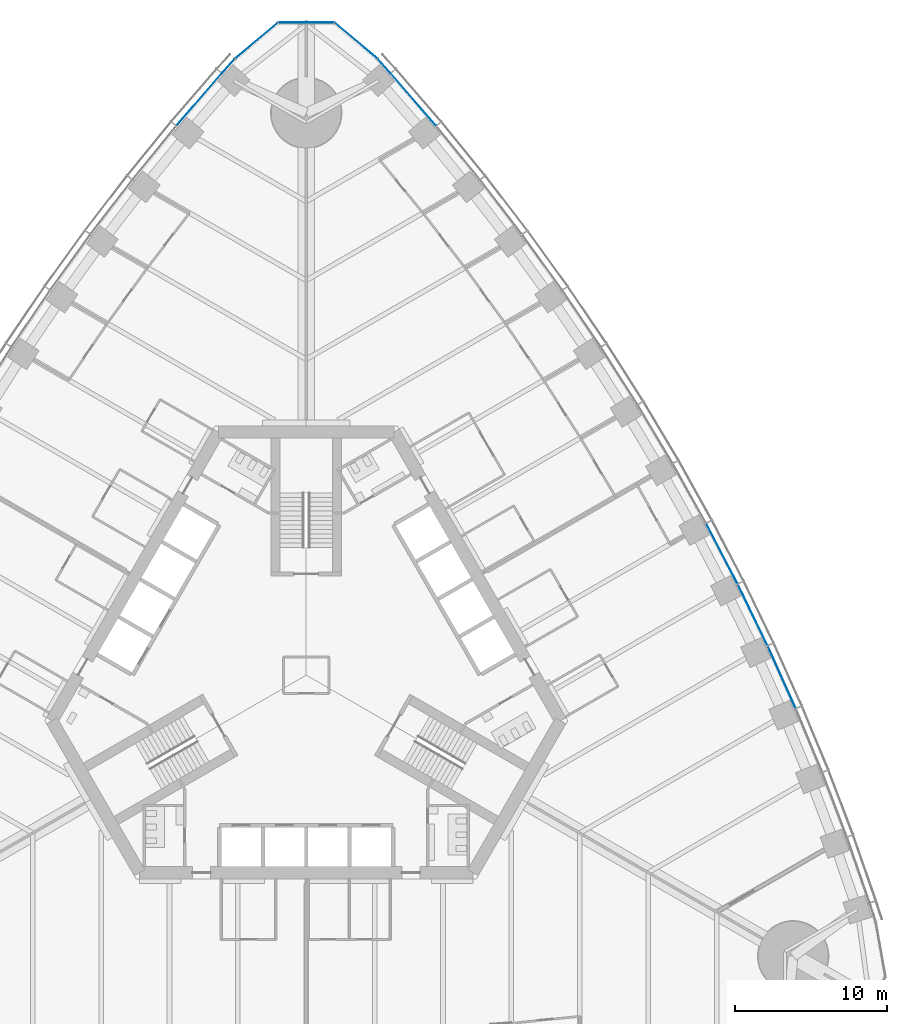
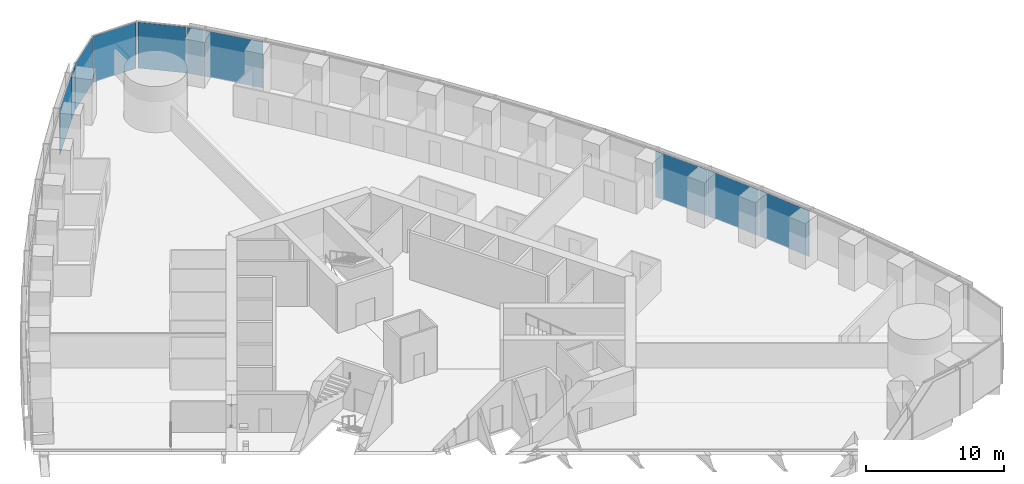
# One storey, part 9 of 18: 10 plates, 3 elements without a shape of their own.
"""IFC4 building model written with IfcOpenShell, lengths in metres."""

import ifcopenshell
import ifcopenshell.guid

model = None  # the IFC model being written
_history = None  # IfcOwnerHistory: only IFC2X3 demands one
_inside = {}  # id of a spatial element -> (the spatial element, [elements in it])
_under = {}  # id of a project, library or spatial element -> (it, [spatial elements below it])
_declared = {}  # id of a project -> (the project, [libraries it declares])
_typed = {}  # id of a type object -> (the type object, [elements of that type])
_made_of = {}  # id of a material, layer set ... -> (it, [elements and type objects made of it])


def new_model(schema):
    """Start an empty IFC model of exactly this schema.

    Asked for "IFC4X3", IfcOpenShell would pick the latest addendum, in which some entities
    have other attributes; the version numbers below select the first issue.
    IFC2X3 requires an IfcOwnerHistory on every rooted entity: one is made here for all.
    """
    global model, _history
    if schema == "IFC4X3":
        model = ifcopenshell.file(schema_version=(4, 3, 0, 0))
    else:
        model = ifcopenshell.file(schema=schema)
    _inside.clear()
    _under.clear()
    _declared.clear()
    _typed.clear()
    _made_of.clear()
    _history = None
    if model.schema == "IFC2X3":
        org = make("IfcOrganization", Name="unknown")
        user = make(
            "IfcPersonAndOrganization",
            ThePerson=make("IfcPerson", FamilyName="unknown"),
            TheOrganization=org,
        )
        app = make(
            "IfcApplication",
            ApplicationDeveloper=org,
            Version="unknown",
            ApplicationFullName="unknown",
            ApplicationIdentifier="unknown",
        )
        _history = make(
            "IfcOwnerHistory",
            OwningUser=user,
            OwningApplication=app,
            ChangeAction="ADDED",
            CreationDate=0,
        )
    return model


def make(cls, **values):
    """One entity of the class cls with the attributes given. An attribute that is None is left unset."""
    return model.create_entity(
        cls, **{name: value for name, value in values.items() if value is not None}
    )


def rooted(cls, **values):
    """An entity with a GlobalId (a new one), such as an element, a storey or a relation."""
    return make(cls, GlobalId=ifcopenshell.guid.new(), OwnerHistory=_history, **values)


def si_unit(unit_type, name, prefix=None):
    """IfcSIUnit, for example si_unit("LENGTHUNIT", "METRE", prefix="MILLI")."""
    return make("IfcSIUnit", UnitType=unit_type, Prefix=prefix, Name=name)


def assignment(units):
    """IfcUnitAssignment: the units of a project."""
    return None if units is None else make("IfcUnitAssignment", Units=units)


def point(xyz):
    """IfcCartesianPoint."""
    return None if xyz is None else make("IfcCartesianPoint", Coordinates=xyz)


def direction(xyz):
    """IfcDirection."""
    return None if xyz is None else make("IfcDirection", DirectionRatios=xyz)


def frame(location, z_axis=None, x_axis=None):
    """IfcAxis2Placement3D, a coordinate frame: its origin and axes. An axis left out is left unset."""
    return make(
        "IfcAxis2Placement3D",
        Location=point(location),
        Axis=direction(z_axis),
        RefDirection=direction(x_axis),
    )


def frame_2d(location, x_axis=None):
    """IfcAxis2Placement2D, a coordinate frame in the plane: its origin and x axis."""
    return make(
        "IfcAxis2Placement2D", Location=point(location), RefDirection=direction(x_axis)
    )


def origin():
    """The frame at (0, 0, 0) with its axes left unset."""
    return frame((0.0, 0.0, 0.0))


def origin_2d():
    """The frame at (0, 0) in the plane with its x axis left unset."""
    return frame_2d((0.0, 0.0))


def place(relative_to, where):
    """IfcLocalPlacement: puts the frame where relative to a parent placement (None: the world)."""
    return make(
        "IfcLocalPlacement", PlacementRelTo=relative_to, RelativePlacement=where
    )


def context(
    kind, dimensions, precision=None, world=None, true_north=None, identifier=None
):
    """IfcGeometricRepresentationContext, for example the 3D "Model" context."""
    return make(
        "IfcGeometricRepresentationContext",
        ContextIdentifier=identifier,
        ContextType=kind,
        CoordinateSpaceDimension=dimensions,
        Precision=precision,
        WorldCoordinateSystem=world,
        TrueNorth=true_north,
    )


def subcontext(parent, identifier, kind, view, scale=None):
    """IfcGeometricRepresentationSubContext, for example "Body" below "Model"."""
    return make(
        "IfcGeometricRepresentationSubContext",
        ContextIdentifier=identifier,
        ContextType=kind,
        ParentContext=parent,
        TargetScale=scale,
        TargetView=view,
    )


def project(units=None, contexts=None):
    """IfcProject with its units and contexts."""
    return rooted(
        "IfcProject",
        Name="project",
        RepresentationContexts=contexts,
        UnitsInContext=assignment(units),
    )


def spatial(cls, under=None, at=None, **own):
    """A site, building, storey or space (cls), placed at a placement, below another one or the project."""
    s = rooted(cls, ObjectPlacement=at, **own)
    if under is not None:
        _under.setdefault(under.id(), (under, []))[1].append(s)
    return s


def profile(cls, at=None, kind="AREA", **sizes):
    """A parametric profile (cls). Its sizes go by their IFC names, for example OverallWidth=200.0."""
    return make(cls, ProfileType=kind, Position=at, **sizes)


def rectangle(**sizes):
    """IfcRectangleProfileDef."""
    return profile("IfcRectangleProfileDef", **sizes)


def extrude(swept, where, along, depth):
    """IfcExtrudedAreaSolid: the profile swept, set in the frame where, extruded along a direction by depth."""
    return make(
        "IfcExtrudedAreaSolid",
        SweptArea=swept,
        Position=where,
        ExtrudedDirection=direction(along),
        Depth=depth,
    )


def shape(context_of_items, identifier, shape_type, items):
    """IfcShapeRepresentation: the items that make up one representation, for example the "Body"."""
    return make(
        "IfcShapeRepresentation",
        ContextOfItems=context_of_items,
        RepresentationIdentifier=identifier,
        RepresentationType=shape_type,
        Items=items,
    )


def material(Name=None, Category=None):
    """IfcMaterial."""
    return make("IfcMaterial", Name=Name, Category=Category)


def layer(
    of_material, thickness, ventilated=None, Name=None, Category=None, Priority=None
):
    """IfcMaterialLayer: one layer of a wall or slab, of a material (None: an air gap)."""
    return make(
        "IfcMaterialLayer",
        Material=of_material,
        LayerThickness=thickness,
        IsVentilated=ventilated,
        Name=Name,
        Category=Category,
        Priority=Priority,
    )


def layer_set(layers, Name=None):
    """IfcMaterialLayerSet."""
    return make("IfcMaterialLayerSet", MaterialLayers=layers, LayerSetName=Name)


def made_of(thing, what):
    """Note that an element or type object is made of a material, layer set ...; save() writes the relation."""
    if what is not None:
        _made_of.setdefault(what.id(), (what, []))[1].append(thing)
    return thing


def type_object(cls, material=None, **own):
    """A type object (cls), such as IfcWallType, which elements share."""
    return made_of(rooted(cls, **own), material)


def element(
    cls,
    number,
    at=None,
    inside=None,
    cuts=None,
    type_object=None,
    material=None,
    context=None,
    identifier="Body",
    shape_type=None,
    held_by="IfcProductDefinitionShape",
    body=None,
    shapes=None,
    **own,
):
    """One element of the class cls, such as IfcWall. Its Tag is "e" and its number.

    at: its placement. inside: the storey or other place that contains it. cuts: it is an
    opening in that element (IfcRelVoidsElement). A single representation is given by context,
    identifier, shape_type and body (its items); several are given by shapes. held_by: the class
    of the entity that holds the representations. save() writes the other relations.
    """
    e = rooted(cls, Tag="e%d" % number, ObjectPlacement=at, **own)
    if body is not None:
        shapes = [shape(context, identifier, shape_type, body)]
    if shapes is not None:
        e.Representation = make(held_by, Representations=shapes)
    if inside is not None:
        _inside.setdefault(inside.id(), (inside, []))[1].append(e)
    if cuts is not None:
        rooted(
            "IfcRelVoidsElement", RelatingBuildingElement=cuts, RelatedOpeningElement=e
        )
    if type_object is not None:
        _typed.setdefault(type_object.id(), (type_object, []))[1].append(e)
    return made_of(e, material)


def aggregate(whole, parts):
    """IfcRelAggregates: a whole, such as a stair, and the parts it consists of."""
    return rooted("IfcRelAggregates", RelatingObject=whole, RelatedObjects=parts)


def save(model, path):
    """Write the relations noted so far, then the file.

    IfcRelAggregates (storeys below a building ...), IfcRelContainedInSpatialStructure (elements
    in a storey), IfcRelDefinesByType, IfcRelAssociatesMaterial and IfcRelDeclares: one each for
    every whole, place, type object, material and project.
    """
    for whole, parts in _under.values():
        aggregate(whole, parts)
    for where, things in _inside.values():
        rooted(
            "IfcRelContainedInSpatialStructure",
            RelatedElements=things,
            RelatingStructure=where,
        )
    for kind, things in _typed.values():
        rooted("IfcRelDefinesByType", RelatedObjects=things, RelatingType=kind)
    for what, things in _made_of.values():
        rooted("IfcRelAssociatesMaterial", RelatedObjects=things, RelatingMaterial=what)
    for by, libraries in _declared.values():
        rooted("IfcRelDeclares", RelatingContext=by, RelatedDefinitions=libraries)
    model.write(path)


model = new_model("IFC4")

# Units and contexts
model_context = context("Model", 3, precision=1e-05, world=origin(), true_north=direction((0.0, 1.0)))
body_context = subcontext(model_context, "Body", "Model", "MODEL_VIEW")
ifc_project = project(units=[si_unit("LENGTHUNIT", "METRE"), si_unit("AREAUNIT", "SQUARE_METRE"), si_unit("VOLUMEUNIT", "CUBIC_METRE"), si_unit("PLANEANGLEUNIT", "RADIAN"), si_unit("MASSUNIT", "GRAM", prefix="KILO")], contexts=[model_context])

# Site, building, storey
site_placement = place(None, origin())
site = spatial("IfcSite", under=ifc_project, at=site_placement, CompositionType="ELEMENT")
building_placement = place(site_placement, origin())
building = spatial("IfcBuilding", under=site, at=building_placement, Name="Trefoil Bronze Tower", CompositionType="ELEMENT")
storey_placement = place(building_placement, frame((0.0, 0.0, 37.5)))
storey = spatial("IfcBuildingStorey", under=building, at=storey_placement, Name="L08", CompositionType="ELEMENT", Elevation=37.5)

# Curtain wall, plates
ifc_material_1 = material(Name="Tinted solar-control glass", Category="glass")
curtain_wall_type_1 = type_object("IfcCurtainWallType", Name="Bronze office curtain wall", PredefinedType="USERDEFINED", material=ifc_material_1)
curtain_wall_1_placement = place(storey_placement, origin())
curtain_wall_1 = element("IfcCurtainWall", 1, at=curtain_wall_1_placement, inside=storey, type_object=curtain_wall_type_1, Name="CW-A L08 F2", ObjectType="CURTAIN WALL", PredefinedType="USERDEFINED")
ifc_material_2 = material(Name="Tinted solar-control glass", Category="glass")
ifc_layer_1 = layer(ifc_material_2, 0.030029296875)
ifc_layer_set_1 = layer_set([ifc_layer_1], Name="Bronze office curtain wall glass panel")
plate_type_1 = type_object("IfcPlateType", Name="Bronze office curtain wall glass panel", PredefinedType="CURTAIN_PANEL", material=ifc_layer_set_1)
plate_1_placement = place(storey_placement, frame((31.28857421875, -0.1337890625, 0.0), z_axis=(0.0, 0.0, 1.0), x_axis=(-0.40945635808, 0.912329705111, 0.0)))
plate_1 = element("IfcPlate", 2, at=plate_1_placement, type_object=plate_type_1, Name="CW-A L08 F2 panel 5", PredefinedType="CURTAIN_PANEL", context=body_context, shape_type="SweptSolid", body=[
    extrude(rectangle(XDim=4.443359375, YDim=0.030029296875, at=origin_2d()), origin(), (0.0, 0.0, 1.0), 4.080078125),
])
plate_2_placement = place(storey_placement, frame((29.3779296875, 3.962646484375, 0.0), z_axis=(0.0, 0.0, 1.0), x_axis=(-0.4358553457, 0.900016731858, 0.0)))
plate_2 = element("IfcPlate", 3, at=plate_2_placement, type_object=plate_type_1, Name="CW-A L08 F2 panel 6", PredefinedType="CURTAIN_PANEL", context=body_context, shape_type="SweptSolid", body=[
    extrude(rectangle(XDim=4.431884765625, YDim=0.030029296875, at=origin_2d()), origin(), (0.0, 0.0, 1.0), 4.080078125),
])
plate_3_placement = place(storey_placement, frame((27.353271484375, 7.9931640625, 0.0), z_axis=(0.0, 0.0, 1.0), x_axis=(-0.46182981834, 0.886968555752, 0.0)))
plate_3 = element("IfcPlate", 4, at=plate_3_placement, type_object=plate_type_1, Name="CW-A L08 F2 panel 7", PredefinedType="CURTAIN_PANEL", context=body_context, shape_type="SweptSolid", body=[
    extrude(rectangle(XDim=4.42431640625, YDim=0.030029296875, at=origin_2d()), origin(), (0.0, 0.0, 1.0), 4.080078125),
])
plate_4_placement = place(storey_placement, frame((7.056396484375, 37.870849609375, 0.0), z_axis=(0.0, 0.0, 1.0), x_axis=(-0.654376090833, 0.756169248083, 0.0)))
plate_4 = element("IfcPlate", 5, at=plate_4_placement, type_object=plate_type_1, Name="CW-A L08 F2 panel 15", PredefinedType="CURTAIN_PANEL", context=body_context, shape_type="SweptSolid", body=[
    extrude(rectangle(XDim=4.502197265625, YDim=0.030029296875, at=origin_2d()), origin(), (0.0, 0.0, 1.0), 4.080078125),
])
plate_5_placement = place(storey_placement, frame((5.12451171875, 40.08447265625, 0.0), z_axis=(0.0, 0.0, 1.0), x_axis=(-0.668575006272, 0.743644714221, 0.0)))
plate_5 = element("IfcPlate", 6, at=plate_5_placement, type_object=plate_type_1, Name="CW-A L08 F2 panel 16", PredefinedType="CURTAIN_PANEL", context=body_context, shape_type="SweptSolid", body=[
    extrude(rectangle(XDim=1.21044921875, YDim=0.030029296875, at=origin_2d()), origin(), (0.0, 0.0, 1.0), 4.080078125),
])
aggregate(curtain_wall_1, [plate_1, plate_2, plate_3, plate_4, plate_5])

curtain_wall_2_placement = place(storey_placement, origin())
curtain_wall_2 = element("IfcCurtainWall", 7, at=curtain_wall_2_placement, inside=storey, type_object=curtain_wall_type_1, Name="CW-A L08 F3", ObjectType="CURTAIN WALL", PredefinedType="USERDEFINED")
plate_6_placement = place(storey_placement, frame((-5.12451171875, 40.08447265625, 0.0), z_axis=(0.0, 0.0, 1.0), x_axis=(-0.668575006272, -0.743644714221, 0.0)))
plate_6 = element("IfcPlate", 8, at=plate_6_placement, type_object=plate_type_1, Name="CW-A L08 F3 panel 1", PredefinedType="CURTAIN_PANEL", context=body_context, shape_type="SweptSolid", body=[
    extrude(rectangle(XDim=1.21044921875, YDim=0.030029296875, at=origin_2d()), origin(), (0.0, 0.0, 1.0), 4.080078125),
])
plate_7_placement = place(storey_placement, frame((-7.056396484375, 37.870849609375, 0.0), z_axis=(0.0, 0.0, 1.0), x_axis=(-0.654376090833, -0.756169248083, 0.0)))
plate_7 = element("IfcPlate", 9, at=plate_7_placement, type_object=plate_type_1, Name="CW-A L08 F3 panel 2", PredefinedType="CURTAIN_PANEL", context=body_context, shape_type="SweptSolid", body=[
    extrude(rectangle(XDim=4.502197265625, YDim=0.030029296875, at=origin_2d()), origin(), (0.0, 0.0, 1.0), 4.080078125),
])
aggregate(curtain_wall_2, [plate_6, plate_7])

ifc_material_3 = material(Name="Tinted solar-control glass", Category="glass")
curtain_wall_type_2 = type_object("IfcCurtainWallType", Name="Bronze rounded corner curtain wall", PredefinedType="USERDEFINED", material=ifc_material_3)
curtain_wall_3_placement = place(storey_placement, origin())
curtain_wall_3 = element("IfcCurtainWall", 10, at=curtain_wall_3_placement, inside=storey, type_object=curtain_wall_type_2, Name="CW-B L08 K2", ObjectType="CURTAIN WALL", PredefinedType="USERDEFINED")
ifc_material_4 = material(Name="Tinted solar-control glass", Category="glass")
ifc_layer_2 = layer(ifc_material_4, 0.030029296875)
ifc_layer_set_2 = layer_set([ifc_layer_2], Name="Bronze rounded corner curtain wall glass panel")
plate_type_2 = type_object("IfcPlateType", Name="Bronze rounded corner curtain wall glass panel", PredefinedType="CURTAIN_PANEL", material=ifc_layer_set_2)
plate_8_placement = place(storey_placement, frame((3.28564453125, 41.74658203125, 0.0), z_axis=(0.0, 0.0, 1.0), x_axis=(-0.766044443119, 0.642787609687, 0.0)))
plate_8 = element("IfcPlate", 11, at=plate_8_placement, type_object=plate_type_2, Name="CW-B L08 K2 panel 1", PredefinedType="CURTAIN_PANEL", context=body_context, shape_type="SweptSolid", body=[
    extrude(rectangle(XDim=3.588134765625, YDim=0.030029296875, at=origin_2d()), origin(), (0.0, 0.0, 1.0), 4.080078125),
])
plate_9_placement = place(storey_placement, frame((0.0, 42.9423828125, 0.0), z_axis=(0.0, 0.0, 1.0), x_axis=(-1.0, 0.0, 0.0)))
plate_9 = element("IfcPlate", 12, at=plate_9_placement, type_object=plate_type_2, Name="CW-B L08 K2 panel 2", PredefinedType="CURTAIN_PANEL", context=body_context, shape_type="SweptSolid", body=[
    extrude(rectangle(XDim=3.588134765625, YDim=0.030029296875, at=origin_2d()), origin(), (0.0, 0.0, 1.0), 4.080078125),
])
plate_10_placement = place(storey_placement, frame((-3.28564453125, 41.74658203125, 0.0), z_axis=(0.0, 0.0, 1.0), x_axis=(-0.766044443119, -0.642787609687, 0.0)))
plate_10 = element("IfcPlate", 13, at=plate_10_placement, type_object=plate_type_2, Name="CW-B L08 K2 panel 3", PredefinedType="CURTAIN_PANEL", context=body_context, shape_type="SweptSolid", body=[
    extrude(rectangle(XDim=3.588134765625, YDim=0.030029296875, at=origin_2d()), origin(), (0.0, 0.0, 1.0), 4.080078125),
])
aggregate(curtain_wall_3, [plate_8, plate_9, plate_10])

save(model, "model.ifc")
